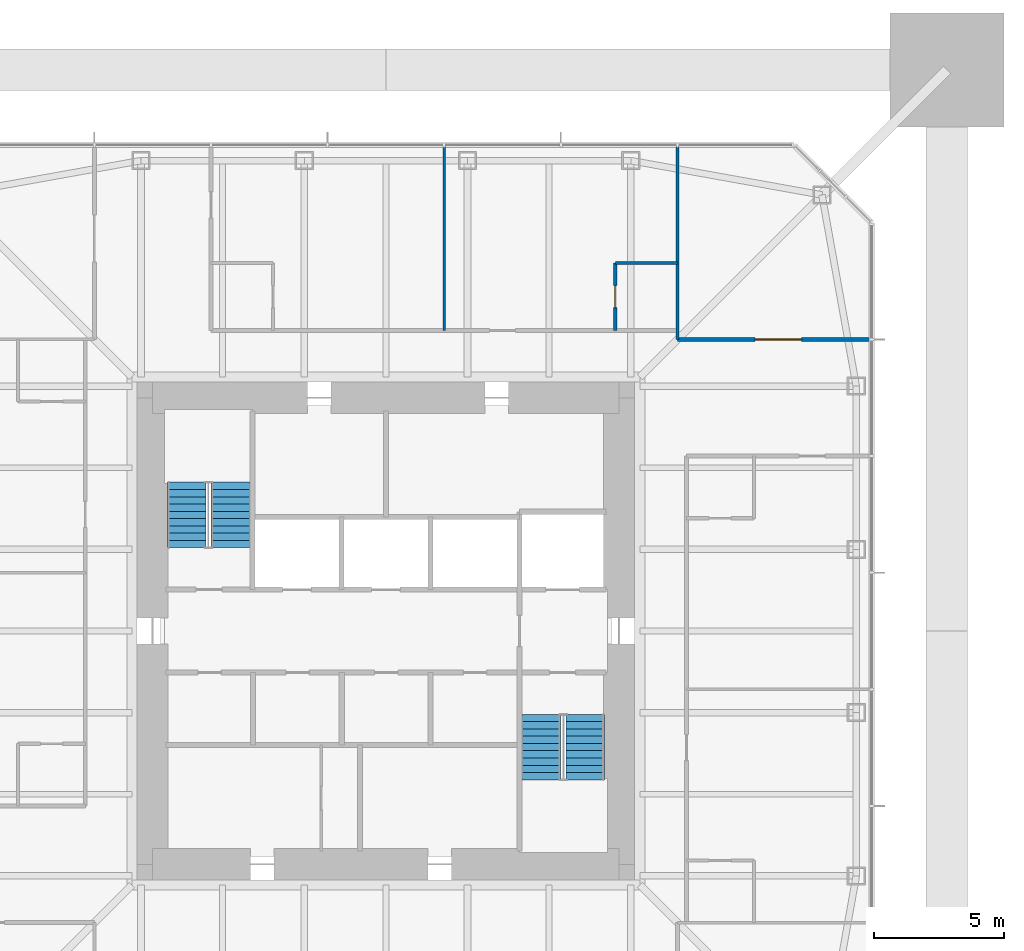
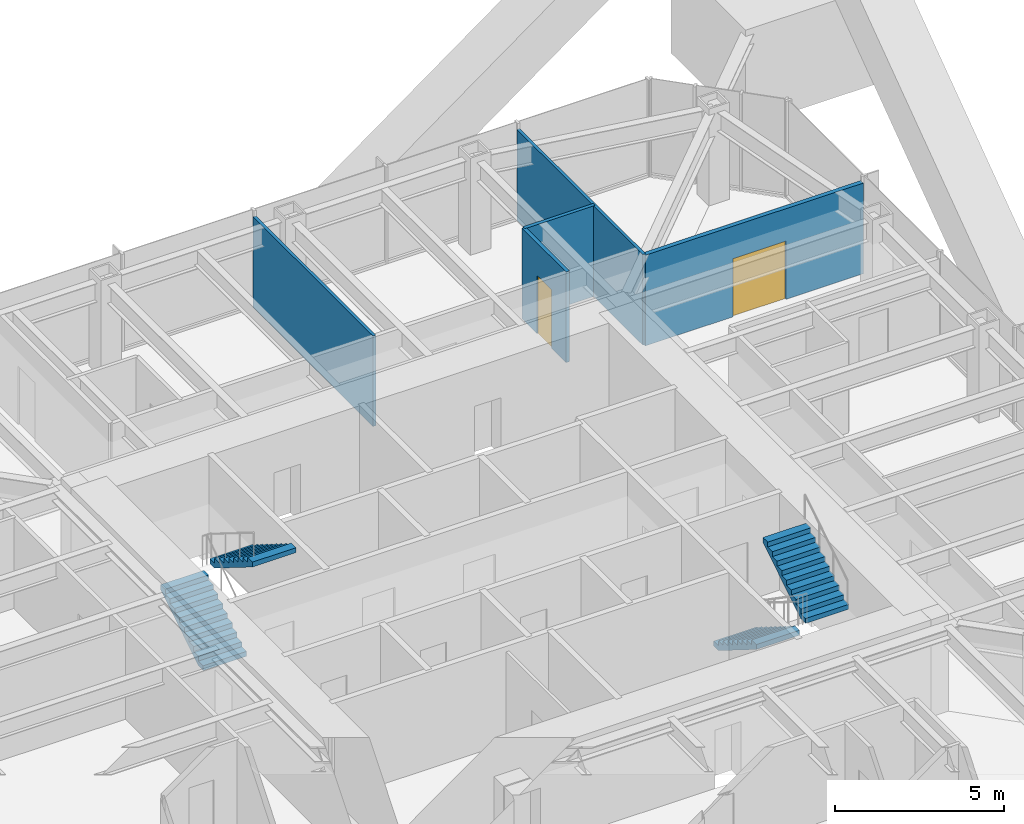
# One storey, part 10 of 13: 5 walls, 4 stair flights, 2 doors, 2 openings, 2 elements without a shape of their own.
"""IFC4 building model written with IfcOpenShell, lengths in metres."""

from ifc_helpers import new_model, si_unit, direction, frame, frame_2d, origin, place, context, subcontext, project, spatial, polyline, rectangle, outline, extrude, material, layer, layer_set, constituent, constituent_set, type_object, element, fill, aggregate, save


model = new_model("IFC4")

# Units and contexts
model_context = context("Model", 3, precision=1e-05, world=origin(), true_north=direction((0.0, 1.0)))
body_context = subcontext(model_context, "Body", "Model", "MODEL_VIEW")
ifc_project = project(units=[si_unit("LENGTHUNIT", "METRE"), si_unit("AREAUNIT", "SQUARE_METRE"), si_unit("VOLUMEUNIT", "CUBIC_METRE"), si_unit("PLANEANGLEUNIT", "RADIAN"), si_unit("MASSUNIT", "GRAM", prefix="KILO")], contexts=[model_context])

# Site, building, storey
site_placement = place(None, origin())
site = spatial("IfcSite", under=ifc_project, at=site_placement, CompositionType="ELEMENT")
building_placement = place(site_placement, origin())
building = spatial("IfcBuilding", under=site, at=building_placement, Name="Iwan Alto Co-Living Towers", CompositionType="ELEMENT")
storey_placement = place(building_placement, frame((0.0, 0.0, 198.5)))
storey = spatial("IfcBuildingStorey", under=building, at=storey_placement, Name="L54", CompositionType="ELEMENT", Elevation=198.5)

# Wall, opening, door
ifc_material_1 = material(Name="Gypsum board")
ifc_layer_1 = layer(ifc_material_1, 0.02490234375, Name="Board", Category="Finish")
ifc_material_2 = material(Name="Steel ASTM A1003 ST33H cold-formed studs", Category="steel")
ifc_layer_2 = layer(ifc_material_2, 0.10009765625, Name="Studs", Category="Framing")
ifc_layer_3 = layer(ifc_material_1, 0.02490234375, Name="Board", Category="Finish")
ifc_layer_set_1 = layer_set([ifc_layer_1, ifc_layer_2, ifc_layer_3], Name="CORRIDOR WALL 150")
wall_type_1 = type_object("IfcWallType", Name="CORRIDOR WALL 150", PredefinedType="PARTITIONING", material=ifc_layer_set_1)
wall_1_placement = place(storey_placement, frame((11.25, 11.25, 0.0), z_axis=(0.0, 0.0, 1.0), x_axis=(1.0, 0.0, 0.0)))
wall_1 = element("IfcWall", 1, at=wall_1_placement, inside=storey, type_object=wall_type_1, Name="Partition L54", PredefinedType="PARTITIONING", context=body_context, shape_type="SweptSolid", body=[
    extrude(rectangle(XDim=7.43994140625, YDim=0.14990234375, at=frame_2d((3.719970703125, 0.0))), origin(), (0.0, 0.0, 1.0), 3.27001953125),
])
opening_1_placement = place(wall_1_placement, frame((2.9951171875, 0.0, 0.0)))
opening_1 = element("IfcOpeningElement", 2, at=opening_1_placement, cuts=wall_1, Name="Opening D9", PredefinedType="OPENING", context=body_context, shape_type="SweptSolid", body=[
    extrude(rectangle(XDim=1.800048828125, YDim=2.10009765625, at=frame_2d((0.89990234375, 1.050048828125))), frame((0.0, 0.0849609375, 0.0), z_axis=(0.0, -1.0, 0.0), x_axis=(1.0, 0.0, 0.0)), (0.0, 0.0, 1.0), 0.169921875),
])
ifc_material_3 = material(Name="Steel frame with timber leaf", Category="steel")
door_type_1 = type_object("IfcDoorType", Name="LOUNGE DOOR FD30S 1800X2100", OperationType="DOUBLE_DOOR_SINGLE_SWING", PredefinedType="DOOR", material=ifc_material_3)
door_1_placement = place(opening_1_placement, origin())
door_1 = element("IfcDoor", 3, at=door_1_placement, inside=storey, type_object=door_type_1, Name="Study lounge door L54", OperationType="DOUBLE_DOOR_SINGLE_SWING", OverallHeight=2.10009765625, OverallWidth=1.800048828125, PredefinedType="DOOR", context=body_context, shape_type="SweptSolid", body=[
    extrude(rectangle(XDim=1.800048828125, YDim=2.10009765625, at=frame_2d((0.89990234375, 1.050048828125))), frame((0.0, 0.02490234375, 0.0), z_axis=(0.0, -1.0, 0.0), x_axis=(1.0, 0.0, 0.0)), (0.0, 0.0, 1.0), 0.050048828125),
])
fill(opening_1, door_1)

# Walls
ifc_layer_4 = layer(ifc_material_1, 0.012451171875, Name="Board", Category="Finish")
ifc_layer_5 = layer(ifc_material_2, 0.074951171875, Name="Studs", Category="Framing")
ifc_layer_6 = layer(ifc_material_1, 0.012451171875, Name="Board", Category="Finish")
ifc_layer_set_2 = layer_set([ifc_layer_4, ifc_layer_5, ifc_layer_6], Name="PARTITION 100")
wall_type_2 = type_object("IfcWallType", Name="PARTITION 100", PredefinedType="PARTITIONING", material=ifc_layer_set_2)
wall_2_placement = place(storey_placement, frame((11.25, 11.25, 0.0), z_axis=(0.0, 0.0, 1.0), x_axis=(0.0, 1.0, 0.0)))
element("IfcWall", 4, at=wall_2_placement, inside=storey, type_object=wall_type_2, Name="Partition L54", PredefinedType="PARTITIONING", context=body_context, shape_type="SweptSolid", body=[
    extrude(rectangle(XDim=7.43994140625, YDim=0.10009765625, at=frame_2d((3.719970703125, 0.0))), origin(), (0.0, 0.0, 1.0), 3.27001953125),
])
wall_3_placement = place(storey_placement, frame((2.25, 11.60009765625, 0.0), z_axis=(0.0, 0.0, 1.0), x_axis=(0.0, 1.0, 0.0)))
element("IfcWall", 5, at=wall_3_placement, inside=storey, type_object=wall_type_2, Name="Partition L54", PredefinedType="PARTITIONING", context=body_context, shape_type="SweptSolid", body=[
    extrude(rectangle(XDim=7.08984375, YDim=0.10009765625, at=frame_2d((3.544921875, 0.0))), origin(), (0.0, 0.0, 1.0), 3.27001953125),
])
ifc_material_4 = material(Name="Cement board")
ifc_layer_7 = layer(ifc_material_4, 0.012451171875, Name="Board", Category="Finish")
ifc_layer_8 = layer(ifc_material_2, 0.094970703125, Name="Studs", Category="Framing")
ifc_layer_9 = layer(ifc_material_4, 0.012451171875, Name="Board", Category="Finish")
ifc_layer_set_3 = layer_set([ifc_layer_7, ifc_layer_8, ifc_layer_9], Name="WET AREA PARTITION 120")
wall_type_3 = type_object("IfcWallType", Name="WET AREA PARTITION 120", PredefinedType="PARTITIONING", material=ifc_layer_set_3)
wall_4_placement = place(storey_placement, frame((8.85009765625, 14.199951171875, 0.0), z_axis=(0.0, 0.0, 1.0), x_axis=(1.0, 0.0, 0.0)))
element("IfcWall", 6, at=wall_4_placement, inside=storey, type_object=wall_type_3, Name="Partition L54", PredefinedType="PARTITIONING", context=body_context, shape_type="SweptSolid", body=[
    extrude(rectangle(XDim=2.39990234375, YDim=0.1201171875, at=frame_2d((1.199951171875, 0.0))), origin(), (0.0, 0.0, 1.0), 3.27001953125),
])

# Wall, opening, door
wall_5_placement = place(storey_placement, frame((8.85009765625, 11.60009765625, 0.0), z_axis=(0.0, 0.0, 1.0), x_axis=(0.0, 1.0, 0.0)))
wall_5 = element("IfcWall", 7, at=wall_5_placement, inside=storey, type_object=wall_type_3, Name="Partition L54", PredefinedType="PARTITIONING", context=body_context, shape_type="SweptSolid", body=[
    extrude(rectangle(XDim=2.599853515625, YDim=0.1201171875, at=frame_2d((1.2998046875, 0.0))), origin(), (0.0, 0.0, 1.0), 3.27001953125),
])
opening_2_placement = place(wall_5_placement, frame((0.875, 0.0, 0.0)))
opening_2 = element("IfcOpeningElement", 8, at=opening_2_placement, cuts=wall_5, Name="Opening D2", PredefinedType="OPENING", context=body_context, shape_type="SweptSolid", body=[
    extrude(rectangle(XDim=0.85009765625, YDim=2.10009765625, at=frame_2d((0.425048828125, 1.050048828125))), frame((0.0, 0.070068359375, 0.0), z_axis=(0.0, -1.0, 0.0), x_axis=(1.0, 0.0, 0.0)), (0.0, 0.0, 1.0), 0.14013671875),
])
ifc_material_5 = material(Name="Timber leaf in steel frame", Category="steel")
door_type_2 = type_object("IfcDoorType", Name="ROOM DOOR 850X2100", OperationType="SINGLE_SWING_LEFT", PredefinedType="DOOR", material=ifc_material_5)
door_2_placement = place(opening_2_placement, origin())
door_2 = element("IfcDoor", 9, at=door_2_placement, inside=storey, type_object=door_type_2, Name="En-suite shower room door L54", OperationType="SINGLE_SWING_LEFT", OverallHeight=2.10009765625, OverallWidth=0.85009765625, PredefinedType="DOOR", context=body_context, shape_type="SweptSolid", body=[
    extrude(rectangle(XDim=0.85009765625, YDim=2.10009765625, at=frame_2d((0.425048828125, 1.050048828125))), frame((0.0, 0.02490234375, 0.0), z_axis=(0.0, -1.0, 0.0), x_axis=(1.0, 0.0, 0.0)), (0.0, 0.0, 1.0), 0.050048828125),
])
fill(opening_2, door_2)

# Stair, stair flights
ifc_material_6 = material(Name="Steel ASTM A36", Category="steel")
ifc_constituent_1 = constituent(ifc_material_6, Name="Stringers", Category="LoadBearing")
ifc_material_7 = material(Name="Concrete f'c 30 MPa", Category="concrete")
ifc_constituent_2 = constituent(ifc_material_7, Name="Tread fill", Category="Finish")
ifc_constituent_set_1 = constituent_set(constituents=[ifc_constituent_1, ifc_constituent_2], Name="STAIR 3500 TWO-FLIGHT T1 CORE")
stair_type = type_object("IfcStairType", Name="STAIR 3500 TWO-FLIGHT T1 CORE", PredefinedType="HALF_TURN_STAIR", material=ifc_constituent_set_1)
stair_1_placement = place(storey_placement, origin())
stair_1 = element("IfcStair", 10, at=stair_1_placement, inside=storey, type_object=stair_type, Name="Stair T1-S1 L54 to L55", PredefinedType="HALF_TURN_STAIR")
ifc_constituent_3 = constituent(ifc_material_6, Name="Stringers", Category="LoadBearing")
ifc_constituent_4 = constituent(ifc_material_7, Name="Tread fill", Category="Finish")
ifc_constituent_set_2 = constituent_set(constituents=[ifc_constituent_3, ifc_constituent_4], Name="STAIR FLIGHT 10 RISERS 280 GOING")
stair_flight_type = type_object("IfcStairFlightType", Name="STAIR FLIGHT 10 RISERS 280 GOING", PredefinedType="STRAIGHT", material=ifc_constituent_set_2)
stair_flight_1_placement = place(storey_placement, frame((-7.68994140625, 3.219970703125, 0.0), z_axis=(0.0, 0.0, 1.0), x_axis=(0.0, 1.0, 0.0)))
stair_flight_1 = element("IfcStairFlight", 11, at=stair_flight_1_placement, type_object=stair_flight_type, Name="T1-S1 flight 1", NumberOfRisers=10, NumberOfTreads=9, PredefinedType="STRAIGHT", RiserHeight=0.175, TreadLength=0.28, context=body_context, shape_type="SweptSolid", body=[
    extrude(outline(polyline([(0.0, 0.0), (0.0, 0.175048828125), (0.280029296875, 0.175048828125), (0.280029296875, 0.35009765625), (0.56005859375, 0.35009765625), (0.56005859375, 0.52490234375), (0.840087890625, 0.52490234375), (0.840087890625, 0.699951171875), (1.1201171875, 0.699951171875), (1.1201171875, 0.875), (1.39990234375, 0.875), (1.39990234375, 1.050048828125), (1.679931640625, 1.050048828125), (1.679931640625, 1.22509765625), (1.9599609375, 1.22509765625), (1.9599609375, 1.39990234375), (2.239990234375, 1.39990234375), (2.239990234375, 1.574951171875), (2.52001953125, 1.574951171875), (2.52001953125, 1.75), (2.52001953125, 1.398193359375), (0.28271484375, 0.0), (0.0, 0.0)])), frame((0.0, 0.739990234375, 0.0), z_axis=(0.0, -1.0, 0.0), x_axis=(1.0, 0.0, 0.0)), (0.0, 0.0, 1.0), 1.47998046875),
])
stair_flight_2_placement = place(storey_placement, frame((-6.010009765625, 5.739990234375, 1.75), z_axis=(0.0, 0.0, 1.0), x_axis=(0.0, -1.0, 0.0)))
stair_flight_2 = element("IfcStairFlight", 12, at=stair_flight_2_placement, type_object=stair_flight_type, Name="T1-S1 flight 2", NumberOfRisers=10, NumberOfTreads=9, PredefinedType="STRAIGHT", RiserHeight=0.175, TreadLength=0.28, context=body_context, shape_type="SweptSolid", body=[
    extrude(outline(polyline([(0.0, 0.0), (0.0, 0.175048828125), (0.280029296875, 0.175048828125), (0.280029296875, 0.35009765625), (0.56005859375, 0.35009765625), (0.56005859375, 0.52490234375), (0.840087890625, 0.52490234375), (0.840087890625, 0.699951171875), (1.1201171875, 0.699951171875), (1.1201171875, 0.875), (1.39990234375, 0.875), (1.39990234375, 1.050048828125), (1.679931640625, 1.050048828125), (1.679931640625, 1.22509765625), (1.9599609375, 1.22509765625), (1.9599609375, 1.39990234375), (2.239990234375, 1.39990234375), (2.239990234375, 1.574951171875), (2.52001953125, 1.574951171875), (2.52001953125, 1.75), (2.52001953125, 1.398193359375), (0.28271484375, 0.0), (0.0, 0.0)])), frame((0.0, 0.739990234375, 0.0), z_axis=(0.0, -1.0, 0.0), x_axis=(1.0, 0.0, 0.0)), (0.0, 0.0, 1.0), 1.47998046875),
])
aggregate(stair_1, [stair_flight_1, stair_flight_2])

stair_2_placement = place(storey_placement, origin())
stair_2 = element("IfcStair", 13, at=stair_2_placement, inside=storey, type_object=stair_type, Name="Stair T1-S2 L54 to L55", PredefinedType="HALF_TURN_STAIR")
stair_flight_3_placement = place(storey_placement, frame((6.010009765625, -3.219970703125, 0.0), z_axis=(0.0, 0.0, 1.0), x_axis=(0.0, -1.0, 0.0)))
stair_flight_3 = element("IfcStairFlight", 14, at=stair_flight_3_placement, type_object=stair_flight_type, Name="T1-S2 flight 1", NumberOfRisers=10, NumberOfTreads=9, PredefinedType="STRAIGHT", RiserHeight=0.175, TreadLength=0.28, context=body_context, shape_type="SweptSolid", body=[
    extrude(outline(polyline([(0.0, 0.0), (0.0, 0.175048828125), (0.280029296875, 0.175048828125), (0.280029296875, 0.35009765625), (0.56005859375, 0.35009765625), (0.56005859375, 0.52490234375), (0.840087890625, 0.52490234375), (0.840087890625, 0.699951171875), (1.1201171875, 0.699951171875), (1.1201171875, 0.875), (1.39990234375, 0.875), (1.39990234375, 1.050048828125), (1.679931640625, 1.050048828125), (1.679931640625, 1.22509765625), (1.9599609375, 1.22509765625), (1.9599609375, 1.39990234375), (2.239990234375, 1.39990234375), (2.239990234375, 1.574951171875), (2.52001953125, 1.574951171875), (2.52001953125, 1.75), (2.52001953125, 1.398193359375), (0.28271484375, 0.0), (0.0, 0.0)])), frame((0.0, 0.739990234375, 0.0), z_axis=(0.0, -1.0, 0.0), x_axis=(1.0, 0.0, 0.0)), (0.0, 0.0, 1.0), 1.47998046875),
])
stair_flight_4_placement = place(storey_placement, frame((7.68994140625, -5.739990234375, 1.75), z_axis=(0.0, 0.0, 1.0), x_axis=(0.0, 1.0, 0.0)))
stair_flight_4 = element("IfcStairFlight", 15, at=stair_flight_4_placement, type_object=stair_flight_type, Name="T1-S2 flight 2", NumberOfRisers=10, NumberOfTreads=9, PredefinedType="STRAIGHT", RiserHeight=0.175, TreadLength=0.28, context=body_context, shape_type="SweptSolid", body=[
    extrude(outline(polyline([(0.0, 0.0), (0.0, 0.175048828125), (0.280029296875, 0.175048828125), (0.280029296875, 0.35009765625), (0.56005859375, 0.35009765625), (0.56005859375, 0.52490234375), (0.840087890625, 0.52490234375), (0.840087890625, 0.699951171875), (1.1201171875, 0.699951171875), (1.1201171875, 0.875), (1.39990234375, 0.875), (1.39990234375, 1.050048828125), (1.679931640625, 1.050048828125), (1.679931640625, 1.22509765625), (1.9599609375, 1.22509765625), (1.9599609375, 1.39990234375), (2.239990234375, 1.39990234375), (2.239990234375, 1.574951171875), (2.52001953125, 1.574951171875), (2.52001953125, 1.75), (2.52001953125, 1.398193359375), (0.28271484375, 0.0), (0.0, 0.0)])), frame((0.0, 0.739990234375, 0.0), z_axis=(0.0, -1.0, 0.0), x_axis=(1.0, 0.0, 0.0)), (0.0, 0.0, 1.0), 1.47998046875),
])
aggregate(stair_2, [stair_flight_3, stair_flight_4])

save(model, "model.ifc")
